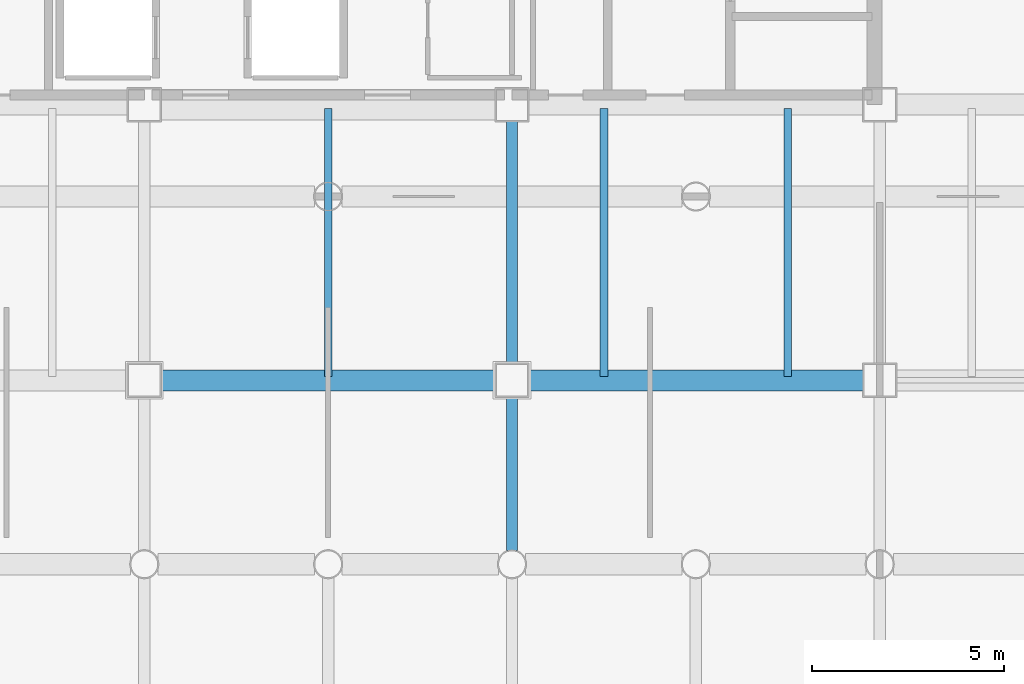
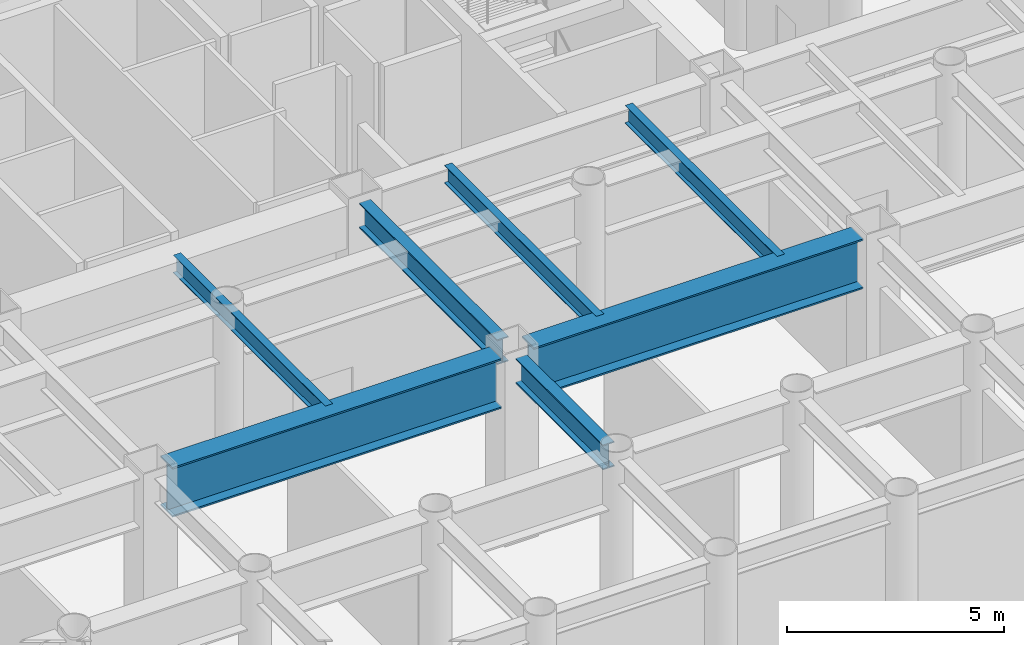
# One storey, part 5 of 17: 7 beams.
"""IFC4 building model written with IfcOpenShell, lengths in metres."""

from ifc_helpers import new_model, si_unit, direction, frame, origin, origin_2d, place, context, subcontext, project, spatial, i_section, extrude, material, material_profile, profile_set, type_object, element, save


model = new_model("IFC4")

# Units and contexts
model_context = context("Model", 3, precision=1e-05, world=origin(), true_north=direction((0.0, 1.0)))
body_context = subcontext(model_context, "Body", "Model", "MODEL_VIEW")
ifc_project = project(units=[si_unit("LENGTHUNIT", "METRE"), si_unit("AREAUNIT", "SQUARE_METRE"), si_unit("VOLUMEUNIT", "CUBIC_METRE"), si_unit("PLANEANGLEUNIT", "RADIAN"), si_unit("MASSUNIT", "GRAM", prefix="KILO")], contexts=[model_context])

# Site, building, storey
site_placement = place(None, origin())
site = spatial("IfcSite", under=ifc_project, at=site_placement, CompositionType="ELEMENT")
building_placement = place(site_placement, origin())
building = spatial("IfcBuilding", under=site, at=building_placement, Name="Kallvorn Hotel Tower", CompositionType="ELEMENT")
storey_placement = place(building_placement, frame((0.0, 0.0, 19.199951171875)))
storey = spatial("IfcBuildingStorey", under=building, at=storey_placement, Name="L03", CompositionType="ELEMENT", Elevation=19.199951171875)

# Beams
ifc_material_1 = material(Name="Structural steel S355JR", Category="steel")
ifc_material_profile_1 = material_profile(ifc_material_1, i_section(OverallWidth=0.300048828125, OverallDepth=0.699951171875, WebThickness=0.01708984375, FlangeThickness=0.031982421875, at=origin_2d()), Name="HE 700 B")
ifc_profile_set_1 = profile_set([ifc_material_profile_1], Name="Structural steel S355JR")
beam_type_1 = type_object("IfcBeamType", Name="BM_HE700B", PredefinedType="BEAM", material=ifc_profile_set_1)
beam_1_placement = place(storey_placement, frame((4.800048828125, -18.843994140625, 4.830078125), z_axis=(0.0, 1.0, 0.0), x_axis=(-1.0, 0.0, 0.0)))
element("IfcBeam", 1, at=beam_1_placement, inside=storey, type_object=beam_type_1, Name="L04 Primary Y-Girder 129", PredefinedType="BEAM", context=body_context, shape_type="SweptSolid", body=[
    extrude(i_section(OverallWidth=0.300048828125, OverallDepth=0.699951171875, WebThickness=0.01708984375, FlangeThickness=0.031982421875, at=origin_2d()), origin(), (0.0, 0.0, 1.0), 4.01904296875),
])
beam_2_placement = place(storey_placement, frame((4.800048828125, -13.97509765625, 4.830078125), z_axis=(0.0, 1.0, 0.0), x_axis=(-1.0, 0.0, 0.0)))
element("IfcBeam", 2, at=beam_2_placement, inside=storey, type_object=beam_type_1, Name="L04 Primary Y-Girder 130", PredefinedType="BEAM", context=body_context, shape_type="SweptSolid", body=[
    extrude(i_section(OverallWidth=0.300048828125, OverallDepth=0.699951171875, WebThickness=0.01708984375, FlangeThickness=0.031982421875, at=origin_2d()), origin(), (0.0, 0.0, 1.0), 6.35009765625),
])
ifc_material_2 = material(Name="Structural steel S355JR", Category="steel")
ifc_material_profile_2 = material_profile(ifc_material_2, i_section(OverallWidth=0.199951171875, OverallDepth=0.5, WebThickness=0.01025390625, FlangeThickness=0.01611328125, at=origin_2d()), Name="IPE 500")
ifc_profile_set_2 = profile_set([ifc_material_profile_2], Name="Structural steel S355JR")
beam_type_2 = type_object("IfcBeamType", Name="BM_IPE500", PredefinedType="JOIST", material=ifc_profile_set_2)
for number, where, z_axis, x_axis, name in (
    (3, (0.0, -14.300048828125, 4.929931640625), (0.0, 1.0, 0.0), (-1.0, 0.0, 0.0), "L04 Secondary Composite Joist 224"),
    (4, (7.199951171875, -14.300048828125, 4.929931640625), (0.0, 1.0, 0.0), (-1.0, 0.0, 0.0), "L04 Secondary Composite Joist 226"),
    (5, (12.0, -14.300048828125, 4.929931640625), (0.0, 1.0, 0.0), (-1.0, 0.0, 0.0), "L04 Secondary Composite Joist 228"),
):
    element("IfcBeam", number, at=place(storey_placement, frame(where, z_axis=z_axis, x_axis=x_axis)), inside=storey, type_object=beam_type_2, Name=name, PredefinedType="JOIST", context=body_context, shape_type="SweptSolid", body=[
        extrude(i_section(OverallWidth=0.199951171875, OverallDepth=0.5, WebThickness=0.01025390625, FlangeThickness=0.01611328125, at=origin_2d()), origin(), (0.0, 0.0, 1.0), 7.0),
    ])
ifc_material_3 = material(Name="Structural steel S355JR", Category="steel")
ifc_material_profile_3 = material_profile(ifc_material_3, i_section(OverallWidth=0.550048828125, OverallDepth=1.39990234375, WebThickness=0.02490234375, FlangeThickness=0.044921875, at=origin_2d()), Name="PG 1400x550x25x45")
ifc_profile_set_3 = profile_set([ifc_material_profile_3], Name="Structural steel S355JR")
beam_type_3 = type_object("IfcBeamType", Name="BM_PG_1400", PredefinedType="BEAM", material=ifc_profile_set_3)
for number, where, z_axis, x_axis, name in (
    (6, (-4.375, -14.39990234375, 4.47998046875), (1.0, 0.0, 0.0), (0.0, 1.0, 0.0), "L04 Primary X-Girder 20"),
    (7, (5.22509765625, -14.39990234375, 4.47998046875), (1.0, 0.0, 0.0), (0.0, 1.0, 0.0), "L04 Primary X-Girder 21"),
):
    element("IfcBeam", number, at=place(storey_placement, frame(where, z_axis=z_axis, x_axis=x_axis)), inside=storey, type_object=beam_type_3, Name=name, PredefinedType="BEAM", context=body_context, shape_type="SweptSolid", body=[
        extrude(i_section(OverallWidth=0.550048828125, OverallDepth=1.39990234375, WebThickness=0.02490234375, FlangeThickness=0.044921875, at=origin_2d()), origin(), (0.0, 0.0, 1.0), 8.75),
    ])

save(model, "model.ifc")
